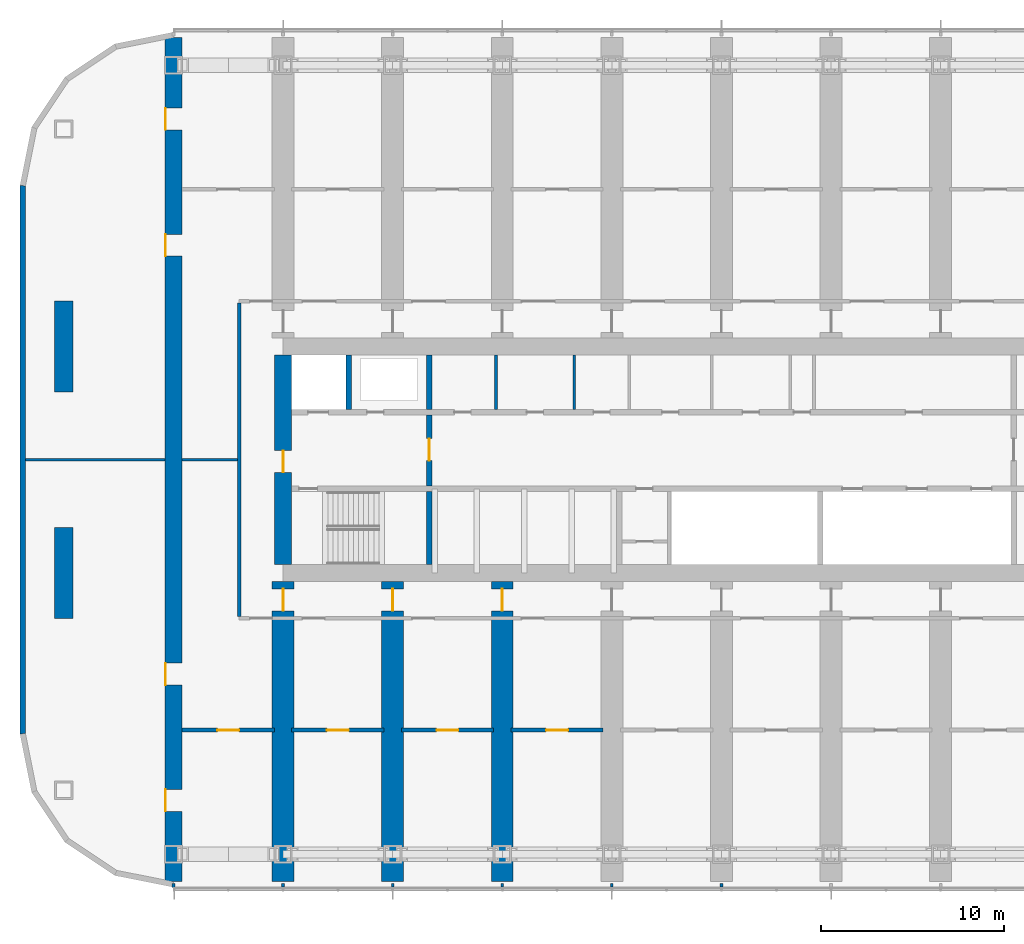
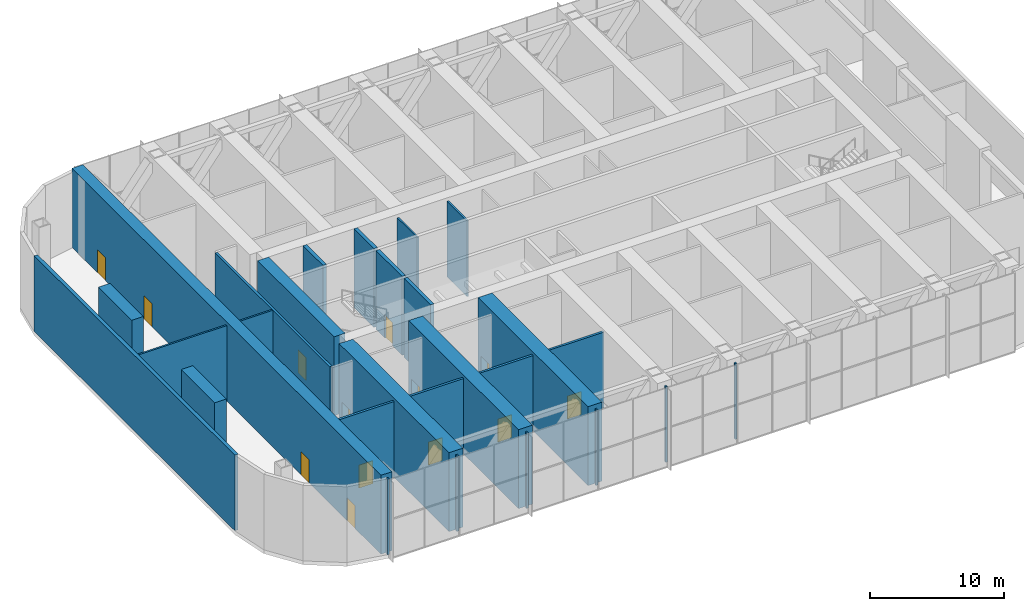
# One storey, part 8 of 22: 27 walls, 13 doors, 13 openings.
"""IFC4 building model written with IfcOpenShell, lengths in metres."""

import ifcopenshell
import ifcopenshell.guid

model = None  # the IFC model being written
_history = None  # IfcOwnerHistory: only IFC2X3 demands one
_inside = {}  # id of a spatial element -> (the spatial element, [elements in it])
_under = {}  # id of a project, library or spatial element -> (it, [spatial elements below it])
_declared = {}  # id of a project -> (the project, [libraries it declares])
_typed = {}  # id of a type object -> (the type object, [elements of that type])
_made_of = {}  # id of a material, layer set ... -> (it, [elements and type objects made of it])


def new_model(schema):
    """Start an empty IFC model of exactly this schema.

    Asked for "IFC4X3", IfcOpenShell would pick the latest addendum, in which some entities
    have other attributes; the version numbers below select the first issue.
    IFC2X3 requires an IfcOwnerHistory on every rooted entity: one is made here for all.
    """
    global model, _history
    if schema == "IFC4X3":
        model = ifcopenshell.file(schema_version=(4, 3, 0, 0))
    else:
        model = ifcopenshell.file(schema=schema)
    _inside.clear()
    _under.clear()
    _declared.clear()
    _typed.clear()
    _made_of.clear()
    _history = None
    if model.schema == "IFC2X3":
        org = make("IfcOrganization", Name="unknown")
        user = make(
            "IfcPersonAndOrganization",
            ThePerson=make("IfcPerson", FamilyName="unknown"),
            TheOrganization=org,
        )
        app = make(
            "IfcApplication",
            ApplicationDeveloper=org,
            Version="unknown",
            ApplicationFullName="unknown",
            ApplicationIdentifier="unknown",
        )
        _history = make(
            "IfcOwnerHistory",
            OwningUser=user,
            OwningApplication=app,
            ChangeAction="ADDED",
            CreationDate=0,
        )
    return model


def make(cls, **values):
    """One entity of the class cls with the attributes given. An attribute that is None is left unset."""
    return model.create_entity(
        cls, **{name: value for name, value in values.items() if value is not None}
    )


def rooted(cls, **values):
    """An entity with a GlobalId (a new one), such as an element, a storey or a relation."""
    return make(cls, GlobalId=ifcopenshell.guid.new(), OwnerHistory=_history, **values)


def si_unit(unit_type, name, prefix=None):
    """IfcSIUnit, for example si_unit("LENGTHUNIT", "METRE", prefix="MILLI")."""
    return make("IfcSIUnit", UnitType=unit_type, Prefix=prefix, Name=name)


def assignment(units):
    """IfcUnitAssignment: the units of a project."""
    return None if units is None else make("IfcUnitAssignment", Units=units)


def point(xyz):
    """IfcCartesianPoint."""
    return None if xyz is None else make("IfcCartesianPoint", Coordinates=xyz)


def direction(xyz):
    """IfcDirection."""
    return None if xyz is None else make("IfcDirection", DirectionRatios=xyz)


def frame(location, z_axis=None, x_axis=None):
    """IfcAxis2Placement3D, a coordinate frame: its origin and axes. An axis left out is left unset."""
    return make(
        "IfcAxis2Placement3D",
        Location=point(location),
        Axis=direction(z_axis),
        RefDirection=direction(x_axis),
    )


def frame_2d(location, x_axis=None):
    """IfcAxis2Placement2D, a coordinate frame in the plane: its origin and x axis."""
    return make(
        "IfcAxis2Placement2D", Location=point(location), RefDirection=direction(x_axis)
    )


def origin():
    """The frame at (0, 0, 0) with its axes left unset."""
    return frame((0.0, 0.0, 0.0))


def place(relative_to, where):
    """IfcLocalPlacement: puts the frame where relative to a parent placement (None: the world)."""
    return make(
        "IfcLocalPlacement", PlacementRelTo=relative_to, RelativePlacement=where
    )


def context(
    kind, dimensions, precision=None, world=None, true_north=None, identifier=None
):
    """IfcGeometricRepresentationContext, for example the 3D "Model" context."""
    return make(
        "IfcGeometricRepresentationContext",
        ContextIdentifier=identifier,
        ContextType=kind,
        CoordinateSpaceDimension=dimensions,
        Precision=precision,
        WorldCoordinateSystem=world,
        TrueNorth=true_north,
    )


def subcontext(parent, identifier, kind, view, scale=None):
    """IfcGeometricRepresentationSubContext, for example "Body" below "Model"."""
    return make(
        "IfcGeometricRepresentationSubContext",
        ContextIdentifier=identifier,
        ContextType=kind,
        ParentContext=parent,
        TargetScale=scale,
        TargetView=view,
    )


def project(units=None, contexts=None):
    """IfcProject with its units and contexts."""
    return rooted(
        "IfcProject",
        Name="project",
        RepresentationContexts=contexts,
        UnitsInContext=assignment(units),
    )


def spatial(cls, under=None, at=None, **own):
    """A site, building, storey or space (cls), placed at a placement, below another one or the project."""
    s = rooted(cls, ObjectPlacement=at, **own)
    if under is not None:
        _under.setdefault(under.id(), (under, []))[1].append(s)
    return s


def polyline(points):
    """IfcPolyline through the points."""
    return make("IfcPolyline", Points=[point(p) for p in points])


def profile(cls, at=None, kind="AREA", **sizes):
    """A parametric profile (cls). Its sizes go by their IFC names, for example OverallWidth=200.0."""
    return make(cls, ProfileType=kind, Position=at, **sizes)


def rectangle(**sizes):
    """IfcRectangleProfileDef."""
    return profile("IfcRectangleProfileDef", **sizes)


def outline(outer, holes=None, kind="AREA"):
    """IfcArbitraryClosedProfileDef: a profile drawn as a closed curve; with holes, ...WithVoids."""
    if holes is None:
        return make("IfcArbitraryClosedProfileDef", ProfileType=kind, OuterCurve=outer)
    return make(
        "IfcArbitraryProfileDefWithVoids",
        ProfileType=kind,
        OuterCurve=outer,
        InnerCurves=holes,
    )


def extrude(swept, where, along, depth):
    """IfcExtrudedAreaSolid: the profile swept, set in the frame where, extruded along a direction by depth."""
    return make(
        "IfcExtrudedAreaSolid",
        SweptArea=swept,
        Position=where,
        ExtrudedDirection=direction(along),
        Depth=depth,
    )


def shape(context_of_items, identifier, shape_type, items):
    """IfcShapeRepresentation: the items that make up one representation, for example the "Body"."""
    return make(
        "IfcShapeRepresentation",
        ContextOfItems=context_of_items,
        RepresentationIdentifier=identifier,
        RepresentationType=shape_type,
        Items=items,
    )


def material(Name=None, Category=None):
    """IfcMaterial."""
    return make("IfcMaterial", Name=Name, Category=Category)


def layer(
    of_material, thickness, ventilated=None, Name=None, Category=None, Priority=None
):
    """IfcMaterialLayer: one layer of a wall or slab, of a material (None: an air gap)."""
    return make(
        "IfcMaterialLayer",
        Material=of_material,
        LayerThickness=thickness,
        IsVentilated=ventilated,
        Name=Name,
        Category=Category,
        Priority=Priority,
    )


def layer_set(layers, Name=None):
    """IfcMaterialLayerSet."""
    return make("IfcMaterialLayerSet", MaterialLayers=layers, LayerSetName=Name)


def made_of(thing, what):
    """Note that an element or type object is made of a material, layer set ...; save() writes the relation."""
    if what is not None:
        _made_of.setdefault(what.id(), (what, []))[1].append(thing)
    return thing


def type_object(cls, material=None, **own):
    """A type object (cls), such as IfcWallType, which elements share."""
    return made_of(rooted(cls, **own), material)


def element(
    cls,
    number,
    at=None,
    inside=None,
    cuts=None,
    type_object=None,
    material=None,
    context=None,
    identifier="Body",
    shape_type=None,
    held_by="IfcProductDefinitionShape",
    body=None,
    shapes=None,
    **own,
):
    """One element of the class cls, such as IfcWall. Its Tag is "e" and its number.

    at: its placement. inside: the storey or other place that contains it. cuts: it is an
    opening in that element (IfcRelVoidsElement). A single representation is given by context,
    identifier, shape_type and body (its items); several are given by shapes. held_by: the class
    of the entity that holds the representations. save() writes the other relations.
    """
    e = rooted(cls, Tag="e%d" % number, ObjectPlacement=at, **own)
    if body is not None:
        shapes = [shape(context, identifier, shape_type, body)]
    if shapes is not None:
        e.Representation = make(held_by, Representations=shapes)
    if inside is not None:
        _inside.setdefault(inside.id(), (inside, []))[1].append(e)
    if cuts is not None:
        rooted(
            "IfcRelVoidsElement", RelatingBuildingElement=cuts, RelatedOpeningElement=e
        )
    if type_object is not None:
        _typed.setdefault(type_object.id(), (type_object, []))[1].append(e)
    return made_of(e, material)


def fill(opening, filler):
    """IfcRelFillsElement: the door or window that sits in an opening."""
    return rooted(
        "IfcRelFillsElement",
        RelatingOpeningElement=opening,
        RelatedBuildingElement=filler,
    )


def aggregate(whole, parts):
    """IfcRelAggregates: a whole, such as a stair, and the parts it consists of."""
    return rooted("IfcRelAggregates", RelatingObject=whole, RelatedObjects=parts)


def save(model, path):
    """Write the relations noted so far, then the file.

    IfcRelAggregates (storeys below a building ...), IfcRelContainedInSpatialStructure (elements
    in a storey), IfcRelDefinesByType, IfcRelAssociatesMaterial and IfcRelDeclares: one each for
    every whole, place, type object, material and project.
    """
    for whole, parts in _under.values():
        aggregate(whole, parts)
    for where, things in _inside.values():
        rooted(
            "IfcRelContainedInSpatialStructure",
            RelatedElements=things,
            RelatingStructure=where,
        )
    for kind, things in _typed.values():
        rooted("IfcRelDefinesByType", RelatedObjects=things, RelatingType=kind)
    for what, things in _made_of.values():
        rooted("IfcRelAssociatesMaterial", RelatedObjects=things, RelatingMaterial=what)
    for by, libraries in _declared.values():
        rooted("IfcRelDeclares", RelatingContext=by, RelatedDefinitions=libraries)
    model.write(path)


model = new_model("IFC4")

# Units and contexts
model_context = context("Model", 3, precision=1e-05, world=origin(), true_north=direction((0.0, 1.0)))
body_context = subcontext(model_context, "Body", "Model", "MODEL_VIEW")
ifc_project = project(units=[si_unit("LENGTHUNIT", "METRE"), si_unit("AREAUNIT", "SQUARE_METRE"), si_unit("VOLUMEUNIT", "CUBIC_METRE"), si_unit("PLANEANGLEUNIT", "RADIAN"), si_unit("MASSUNIT", "GRAM", prefix="KILO")], contexts=[model_context])

# Site, building, storey
site_placement = place(None, origin())
site = spatial("IfcSite", under=ifc_project, at=site_placement, CompositionType="ELEMENT")
building_placement = place(site_placement, origin())
building = spatial("IfcBuilding", under=site, at=building_placement, Name="Orbita Commons", CompositionType="ELEMENT")
storey_placement = place(building_placement, frame((0.0, 0.0, 133.14990234375)))
storey = spatial("IfcBuildingStorey", under=building, at=storey_placement, Name="L33", CompositionType="ELEMENT", Elevation=133.14990234375)

# Wall
ifc_material_1 = material(Name="Concrete C50/60", Category="concrete")
ifc_layer_1 = layer(ifc_material_1, 0.300048828125)
ifc_layer_set_1 = layer_set([ifc_layer_1], Name="Concrete C50/60")
wall_type_1 = type_object("IfcWallType", Name="Core inner wall 300 C50/60", PredefinedType="SHEAR", material=ifc_layer_set_1)
wall_1_placement = place(storey_placement, frame((26.0, 26.27490234375, 0.0), z_axis=(0.0, 0.0, 1.0), x_axis=(0.0, 1.0, 0.0)))
element("IfcWall", 1, at=wall_1_placement, inside=storey, type_object=wall_type_1, Name="Stair S1 wall L33", PredefinedType="SHEAR", context=body_context, shape_type="SweptSolid", body=[
    extrude(rectangle(XDim=3.97509765625, YDim=0.300048828125, at=frame_2d((1.987548828125, 0.0))), origin(), (0.0, 0.0, 1.0), 7.2001953125),
])

# Wall, opening, door
wall_2_placement = place(storey_placement, frame((26.0, 30.550048828125, 0.0), z_axis=(0.0, 0.0, 1.0), x_axis=(0.0, 1.0, 0.0)))
wall_2 = element("IfcWall", 2, at=wall_2_placement, inside=storey, type_object=wall_type_1, Name="Firefighting lobby wall west L33", PredefinedType="SHEAR", context=body_context, shape_type="SweptSolid", body=[
    extrude(rectangle(XDim=3.89990234375, YDim=0.300048828125, at=frame_2d((1.949951171875, 0.0))), origin(), (0.0, 0.0, 1.0), 7.2001953125),
])
opening_1_placement = place(wall_2_placement, frame((1.39990234375, 0.0, 0.0)))
opening_1 = element("IfcOpeningElement", 3, at=opening_1_placement, cuts=wall_2, Name="Opening D04", PredefinedType="OPENING", context=body_context, shape_type="SweptSolid", body=[
    extrude(rectangle(XDim=1.199951171875, YDim=2.10009765625, at=frame_2d((0.60009765625, 1.050048828125))), frame((0.0, 0.159912109375, 0.0), z_axis=(0.0, -1.0, 0.0), x_axis=(1.0, 0.0, 0.0)), (0.0, 0.0, 1.0), 0.320068359375),
])
ifc_material_2 = material(Name="Steel-faced fire door leaf", Category="steel")
door_type_1 = type_object("IfcDoorType", Name="Service door 20 min 1200x2100", OperationType="SINGLE_SWING_LEFT", PredefinedType="DOOR", material=ifc_material_2)
door_1_placement = place(opening_1_placement, origin())
door_1 = element("IfcDoor", 4, at=door_1_placement, inside=storey, type_object=door_type_1, Name="Lift lobby door west", OperationType="SINGLE_SWING_LEFT", OverallHeight=2.10009765625, OverallWidth=1.199951171875, PredefinedType="DOOR", context=body_context, shape_type="SweptSolid", body=[
    extrude(rectangle(XDim=1.199951171875, YDim=2.10009765625, at=frame_2d((0.60009765625, 1.050048828125))), frame((0.0, 0.02490234375, 0.0), z_axis=(0.0, -1.0, 0.0), x_axis=(1.0, 0.0, 0.0)), (0.0, 0.0, 1.0), 0.050048828125),
])
fill(opening_1, door_1)

# Walls
for number, where, z_axis, x_axis, name in (
    (5, (21.60009765625, 34.75, 0.0), (0.0, 0.0, 1.0), (0.0, 1.0, 0.0), "Firefighting lift FL1 shaft wall L33"),
    (6, (26.0, 34.75, 0.0), (0.0, 0.0, 1.0), (0.0, 1.0, 0.0), "Riser wall west L33"),
):
    element("IfcWall", number, at=place(storey_placement, frame(where, z_axis=z_axis, x_axis=x_axis)), inside=storey, type_object=wall_type_1, Name=name, PredefinedType="SHEAR", context=body_context, shape_type="SweptSolid", body=[
        extrude(rectangle(XDim=2.97509765625, YDim=0.300048828125, at=frame_2d((1.487548828125, 0.0))), origin(), (0.0, 0.0, 1.0), 7.2001953125),
    ])
ifc_material_3 = material(Name="Concrete blockwork", Category="masonry")
ifc_layer_2 = layer(ifc_material_3, 0.14990234375)
ifc_layer_set_2 = layer_set([ifc_layer_2], Name="Concrete blockwork")
wall_type_2 = type_object("IfcWallType", Name="Core partition 150 blockwork", PredefinedType="SOLIDWALL", material=ifc_layer_set_2)
for number, where, z_axis, x_axis, name in (
    (7, (29.65087890625, 34.75, 0.0), (0.0, 0.0, 1.0), (0.0, 1.0, 0.0), "Core partition 150 blockwork L33"),
    (8, (33.9462890625, 34.75, 0.0), (0.0, 0.0, 1.0), (0.0, 1.0, 0.0), "Core partition 150 blockwork L33"),
):
    element("IfcWall", number, at=place(storey_placement, frame(where, z_axis=z_axis, x_axis=x_axis)), inside=storey, type_object=wall_type_2, Name=name, PredefinedType="SOLIDWALL", context=body_context, shape_type="SweptSolid", body=[
        extrude(rectangle(XDim=2.97509765625, YDim=0.14990234375, at=frame_2d((1.487548828125, 0.0))), origin(), (0.0, 0.0, 1.0), 6.900146484375),
    ])

# Wall, opening, door
ifc_material_4 = material(Name="Concrete C50/60", Category="concrete")
ifc_layer_3 = layer(ifc_material_4, 0.949951171875)
ifc_layer_set_3 = layer_set([ifc_layer_3], Name="Concrete C50/60")
wall_type_3 = type_object("IfcWallType", Name="Core wall 950 C50/60", PredefinedType="SHEAR", material=ifc_layer_set_3)
wall_3_placement = place(storey_placement, frame((18.0, 26.27490234375, 0.0), z_axis=(0.0, 0.0, 1.0), x_axis=(0.0, 1.0, 0.0)))
wall_3 = element("IfcWall", 9, at=wall_3_placement, inside=storey, type_object=wall_type_3, Name="Core end wall west L33", PredefinedType="SHEAR", context=body_context, shape_type="SweptSolid", body=[
    extrude(rectangle(XDim=11.4501953125, YDim=0.949951171875, at=frame_2d((5.72509765625, 0.0))), origin(), (0.0, 0.0, 1.0), 7.2001953125),
])
opening_2_placement = place(wall_3_placement, frame((5.02490234375, 0.0, 0.0)))
opening_2 = element("IfcOpeningElement", 10, at=opening_2_placement, cuts=wall_3, Name="Opening D01", PredefinedType="OPENING", context=body_context, shape_type="SweptSolid", body=[
    extrude(rectangle(XDim=1.199951171875, YDim=2.10009765625, at=frame_2d((0.60009765625, 1.050048828125))), frame((0.0, 0.48486328125, 0.0), z_axis=(0.0, -1.0, 0.0), x_axis=(1.0, 0.0, 0.0)), (0.0, 0.0, 1.0), 0.969970703125),
])
ifc_material_5 = material(Name="Steel-faced fire door leaf", Category="steel")
door_type_2 = type_object("IfcDoorType", Name="Fire door 90 min 1200x2100", OperationType="SINGLE_SWING_LEFT", PredefinedType="DOOR", material=ifc_material_5)
door_2_placement = place(opening_2_placement, origin())
door_2 = element("IfcDoor", 11, at=door_2_placement, inside=storey, type_object=door_type_2, Name="Firefighting lobby west door", OperationType="SINGLE_SWING_LEFT", OverallHeight=2.10009765625, OverallWidth=1.199951171875, PredefinedType="DOOR", context=body_context, shape_type="SweptSolid", body=[
    extrude(rectangle(XDim=1.199951171875, YDim=2.10009765625, at=frame_2d((0.60009765625, 1.050048828125))), frame((0.0, 0.02490234375, 0.0), z_axis=(0.0, -1.0, 0.0), x_axis=(1.0, 0.0, 0.0)), (0.0, 0.0, 1.0), 0.050048828125),
])
fill(opening_2, door_2)

# Wall
ifc_material_6 = material(Name="Concrete blockwork", Category="masonry")
ifc_layer_4 = layer(ifc_material_6, 0.199951171875)
ifc_layer_set_4 = layer_set([ifc_layer_4], Name="Concrete blockwork")
wall_type_4 = type_object("IfcWallType", Name="Corridor wall 200 blockwork", PredefinedType="SOLIDWALL", material=ifc_layer_set_4)
wall_4_placement = place(storey_placement, frame((15.60009765625, 23.425048828125, 0.0), z_axis=(0.0, 0.0, 1.0), x_axis=(0.0, 1.0, 0.0)))
element("IfcWall", 12, at=wall_4_placement, inside=storey, type_object=wall_type_4, Name="Corridor wall 200 blockwork L33", PredefinedType="SOLIDWALL", context=body_context, shape_type="SweptSolid", body=[
    extrude(rectangle(XDim=17.14990234375, YDim=0.199951171875, at=frame_2d((8.574951171875, 0.0))), origin(), (0.0, 0.0, 1.0), 6.900146484375),
])

# Wall, opening, door
ifc_material_7 = material(Name="Hollow concrete block 200", Category="concrete")
ifc_layer_5 = layer(ifc_material_7, 0.199951171875)
ifc_layer_set_5 = layer_set([ifc_layer_5], Name="Hollow concrete block 200")
wall_type_5 = type_object("IfcWallType", Name="Corridor wall 200 hollow concrete block", PredefinedType="SOLIDWALL", material=ifc_layer_set_5)
wall_5_placement = place(storey_placement, frame((12.47509765625, 17.199951171875, 0.0), z_axis=(0.0, 0.0, 1.0), x_axis=(1.0, 0.0, 0.0)))
wall_5 = element("IfcWall", 13, at=wall_5_placement, inside=storey, type_object=wall_type_5, Name="Corridor wall 200 hollow concrete block L33", PredefinedType="SOLIDWALL", context=body_context, shape_type="SweptSolid", body=[
    extrude(rectangle(XDim=5.0498046875, YDim=0.199951171875, at=frame_2d((2.52490234375, 0.0))), origin(), (0.0, 0.0, 1.0), 6.900146484375),
])
opening_3_placement = place(wall_5_placement, frame((1.925048828125, 0.0, 0.0)))
opening_3 = element("IfcOpeningElement", 14, at=opening_3_placement, cuts=wall_5, Name="Opening D01", PredefinedType="OPENING", context=body_context, shape_type="SweptSolid", body=[
    extrude(rectangle(XDim=1.199951171875, YDim=2.10009765625, at=frame_2d((0.60009765625, 1.050048828125))), frame((0.0, 0.10986328125, 0.0), z_axis=(0.0, -1.0, 0.0), x_axis=(1.0, 0.0, 0.0)), (0.0, 0.0, 1.0), 0.219970703125),
])
door_3_placement = place(opening_3_placement, origin())
door_3 = element("IfcDoor", 15, at=door_3_placement, inside=storey, type_object=door_type_2, Name="Refuge area door L33", OperationType="SINGLE_SWING_LEFT", OverallHeight=2.10009765625, OverallWidth=1.199951171875, PredefinedType="DOOR", context=body_context, shape_type="SweptSolid", body=[
    extrude(rectangle(XDim=1.199951171875, YDim=2.10009765625, at=frame_2d((0.60009765625, 1.050048828125))), frame((0.0, 0.02490234375, 0.0), z_axis=(0.0, -1.0, 0.0), x_axis=(1.0, 0.0, 0.0)), (0.0, 0.0, 1.0), 0.050048828125),
])
fill(opening_3, door_3)

wall_6_placement = place(storey_placement, frame((18.47509765625, 17.199951171875, 0.0), z_axis=(0.0, 0.0, 1.0), x_axis=(1.0, 0.0, 0.0)))
wall_6 = element("IfcWall", 16, at=wall_6_placement, inside=storey, type_object=wall_type_5, Name="Corridor wall 200 hollow concrete block L33", PredefinedType="SOLIDWALL", context=body_context, shape_type="SweptSolid", body=[
    extrude(rectangle(XDim=5.0498046875, YDim=0.199951171875, at=frame_2d((2.52490234375, 0.0))), origin(), (0.0, 0.0, 1.0), 6.900146484375),
])
opening_4_placement = place(wall_6_placement, frame((1.925048828125, 0.0, 0.0)))
opening_4 = element("IfcOpeningElement", 17, at=opening_4_placement, cuts=wall_6, Name="Opening D01", PredefinedType="OPENING", context=body_context, shape_type="SweptSolid", body=[
    extrude(rectangle(XDim=1.199951171875, YDim=2.10009765625, at=frame_2d((0.60009765625, 1.050048828125))), frame((0.0, 0.10986328125, 0.0), z_axis=(0.0, -1.0, 0.0), x_axis=(1.0, 0.0, 0.0)), (0.0, 0.0, 1.0), 0.219970703125),
])
door_4_placement = place(opening_4_placement, origin())
door_4 = element("IfcDoor", 18, at=door_4_placement, inside=storey, type_object=door_type_2, Name="Refuge area door L33", OperationType="SINGLE_SWING_LEFT", OverallHeight=2.10009765625, OverallWidth=1.199951171875, PredefinedType="DOOR", context=body_context, shape_type="SweptSolid", body=[
    extrude(rectangle(XDim=1.199951171875, YDim=2.10009765625, at=frame_2d((0.60009765625, 1.050048828125))), frame((0.0, 0.02490234375, 0.0), z_axis=(0.0, -1.0, 0.0), x_axis=(1.0, 0.0, 0.0)), (0.0, 0.0, 1.0), 0.050048828125),
])
fill(opening_4, door_4)

wall_7_placement = place(storey_placement, frame((24.47509765625, 17.199951171875, 0.0), z_axis=(0.0, 0.0, 1.0), x_axis=(1.0, 0.0, 0.0)))
wall_7 = element("IfcWall", 19, at=wall_7_placement, inside=storey, type_object=wall_type_5, Name="Corridor wall 200 hollow concrete block L33", PredefinedType="SOLIDWALL", context=body_context, shape_type="SweptSolid", body=[
    extrude(rectangle(XDim=5.0498046875, YDim=0.199951171875, at=frame_2d((2.52490234375, 0.0))), origin(), (0.0, 0.0, 1.0), 6.900146484375),
])
opening_5_placement = place(wall_7_placement, frame((1.925048828125, 0.0, 0.0)))
opening_5 = element("IfcOpeningElement", 20, at=opening_5_placement, cuts=wall_7, Name="Opening D01", PredefinedType="OPENING", context=body_context, shape_type="SweptSolid", body=[
    extrude(rectangle(XDim=1.199951171875, YDim=2.10009765625, at=frame_2d((0.60009765625, 1.050048828125))), frame((0.0, 0.10986328125, 0.0), z_axis=(0.0, -1.0, 0.0), x_axis=(1.0, 0.0, 0.0)), (0.0, 0.0, 1.0), 0.219970703125),
])
door_5_placement = place(opening_5_placement, origin())
door_5 = element("IfcDoor", 21, at=door_5_placement, inside=storey, type_object=door_type_2, Name="Refuge area door L33", OperationType="SINGLE_SWING_LEFT", OverallHeight=2.10009765625, OverallWidth=1.199951171875, PredefinedType="DOOR", context=body_context, shape_type="SweptSolid", body=[
    extrude(rectangle(XDim=1.199951171875, YDim=2.10009765625, at=frame_2d((0.60009765625, 1.050048828125))), frame((0.0, 0.02490234375, 0.0), z_axis=(0.0, -1.0, 0.0), x_axis=(1.0, 0.0, 0.0)), (0.0, 0.0, 1.0), 0.050048828125),
])
fill(opening_5, door_5)

wall_8_placement = place(storey_placement, frame((30.47509765625, 17.199951171875, 0.0), z_axis=(0.0, 0.0, 1.0), x_axis=(1.0, 0.0, 0.0)))
wall_8 = element("IfcWall", 22, at=wall_8_placement, inside=storey, type_object=wall_type_5, Name="Corridor wall 200 hollow concrete block L33", PredefinedType="SOLIDWALL", context=body_context, shape_type="SweptSolid", body=[
    extrude(rectangle(XDim=5.0498046875, YDim=0.199951171875, at=frame_2d((2.52490234375, 0.0))), origin(), (0.0, 0.0, 1.0), 6.900146484375),
])
opening_6_placement = place(wall_8_placement, frame((1.925048828125, 0.0, 0.0)))
opening_6 = element("IfcOpeningElement", 23, at=opening_6_placement, cuts=wall_8, Name="Opening D01", PredefinedType="OPENING", context=body_context, shape_type="SweptSolid", body=[
    extrude(rectangle(XDim=1.199951171875, YDim=2.10009765625, at=frame_2d((0.60009765625, 1.050048828125))), frame((0.0, 0.10986328125, 0.0), z_axis=(0.0, -1.0, 0.0), x_axis=(1.0, 0.0, 0.0)), (0.0, 0.0, 1.0), 0.219970703125),
])
door_6_placement = place(opening_6_placement, origin())
door_6 = element("IfcDoor", 24, at=door_6_placement, inside=storey, type_object=door_type_2, Name="Refuge area door L33", OperationType="SINGLE_SWING_LEFT", OverallHeight=2.10009765625, OverallWidth=1.199951171875, PredefinedType="DOOR", context=body_context, shape_type="SweptSolid", body=[
    extrude(rectangle(XDim=1.199951171875, YDim=2.10009765625, at=frame_2d((0.60009765625, 1.050048828125))), frame((0.0, 0.02490234375, 0.0), z_axis=(0.0, -1.0, 0.0), x_axis=(1.0, 0.0, 0.0)), (0.0, 0.0, 1.0), 0.050048828125),
])
fill(opening_6, door_6)

# Wall, openings, doors
ifc_material_8 = material(Name="Concrete C50/60", Category="concrete")
ifc_layer_6 = layer(ifc_material_8, 0.949951171875)
ifc_layer_set_6 = layer_set([ifc_layer_6], Name="Concrete C50/60")
wall_type_6 = type_object("IfcWallType", Name="Cross wall 950 C50/60", PredefinedType="SHEAR", material=ifc_layer_set_6)
wall_9_placement = place(storey_placement, frame((12.0, 8.89990234375, 0.0), z_axis=(0.0, 0.0, 1.0), x_axis=(0.0, 1.0, 0.0)))
wall_9 = element("IfcWall", 25, at=wall_9_placement, inside=storey, type_object=wall_type_6, Name="Cross wall 3 L33", PredefinedType="SHEAR", context=body_context, shape_type="SweptSolid", body=[
    extrude(rectangle(XDim=46.2001953125, YDim=0.949951171875, at=frame_2d((23.10009765625, 0.0))), origin(), (0.0, 0.0, 1.0), 7.2001953125),
])
opening_7_placement = place(wall_9_placement, frame((3.85009765625, 0.0, 0.0)))
opening_7 = element("IfcOpeningElement", 26, at=opening_7_placement, cuts=wall_9, Name="Opening D01", PredefinedType="OPENING", context=body_context, shape_type="SweptSolid", body=[
    extrude(rectangle(XDim=1.199951171875, YDim=2.10009765625, at=frame_2d((0.60009765625, 1.050048828125))), frame((0.0, 0.48486328125, 0.0), z_axis=(0.0, -1.0, 0.0), x_axis=(1.0, 0.0, 0.0)), (0.0, 0.0, 1.0), 0.969970703125),
])
opening_8_placement = place(wall_9_placement, frame((10.762451171875, 0.0, 0.0)))
opening_8 = element("IfcOpeningElement", 27, at=opening_8_placement, cuts=wall_9, Name="Opening D01", PredefinedType="OPENING", context=body_context, shape_type="SweptSolid", body=[
    extrude(rectangle(XDim=1.199951171875, YDim=2.10009765625, at=frame_2d((0.60009765625, 1.050048828125))), frame((0.0, 0.48486328125, 0.0), z_axis=(0.0, -1.0, 0.0), x_axis=(1.0, 0.0, 0.0)), (0.0, 0.0, 1.0), 0.969970703125),
])
opening_9_placement = place(wall_9_placement, frame((41.14990234375, 0.0, 0.0)))
opening_9 = element("IfcOpeningElement", 28, at=opening_9_placement, cuts=wall_9, Name="Opening D01", PredefinedType="OPENING", context=body_context, shape_type="SweptSolid", body=[
    extrude(rectangle(XDim=1.199951171875, YDim=2.10009765625, at=frame_2d((0.60009765625, 1.050048828125))), frame((0.0, 0.48486328125, 0.0), z_axis=(0.0, -1.0, 0.0), x_axis=(1.0, 0.0, 0.0)), (0.0, 0.0, 1.0), 0.969970703125),
])
opening_10_placement = place(wall_9_placement, frame((34.237548828125, 0.0, 0.0)))
opening_10 = element("IfcOpeningElement", 29, at=opening_10_placement, cuts=wall_9, Name="Opening D01", PredefinedType="OPENING", context=body_context, shape_type="SweptSolid", body=[
    extrude(rectangle(XDim=1.199951171875, YDim=2.10009765625, at=frame_2d((0.60009765625, 1.050048828125))), frame((0.0, 0.48486328125, 0.0), z_axis=(0.0, -1.0, 0.0), x_axis=(1.0, 0.0, 0.0)), (0.0, 0.0, 1.0), 0.969970703125),
])
door_7_placement = place(opening_7_placement, origin())
door_7 = element("IfcDoor", 30, at=door_7_placement, inside=storey, type_object=door_type_2, Name="Refuge area connecting door L33", OperationType="SINGLE_SWING_LEFT", OverallHeight=2.10009765625, OverallWidth=1.199951171875, PredefinedType="DOOR", context=body_context, shape_type="SweptSolid", body=[
    extrude(rectangle(XDim=1.199951171875, YDim=2.10009765625, at=frame_2d((0.60009765625, 1.050048828125))), frame((0.0, 0.4599609375, 0.0), z_axis=(0.0, -1.0, 0.0), x_axis=(1.0, 0.0, 0.0)), (0.0, 0.0, 1.0), 0.050048828125),
])
fill(opening_7, door_7)
door_8_placement = place(opening_8_placement, origin())
door_8 = element("IfcDoor", 31, at=door_8_placement, inside=storey, type_object=door_type_2, Name="Refuge area connecting door L33", OperationType="SINGLE_SWING_LEFT", OverallHeight=2.10009765625, OverallWidth=1.199951171875, PredefinedType="DOOR", context=body_context, shape_type="SweptSolid", body=[
    extrude(rectangle(XDim=1.199951171875, YDim=2.10009765625, at=frame_2d((0.60009765625, 1.050048828125))), frame((0.0, 0.4599609375, 0.0), z_axis=(0.0, -1.0, 0.0), x_axis=(1.0, 0.0, 0.0)), (0.0, 0.0, 1.0), 0.050048828125),
])
fill(opening_8, door_8)
door_9_placement = place(opening_9_placement, origin())
door_9 = element("IfcDoor", 32, at=door_9_placement, inside=storey, type_object=door_type_2, Name="Plant room connecting door L33", OperationType="SINGLE_SWING_LEFT", OverallHeight=2.10009765625, OverallWidth=1.199951171875, PredefinedType="DOOR", context=body_context, shape_type="SweptSolid", body=[
    extrude(rectangle(XDim=1.199951171875, YDim=2.10009765625, at=frame_2d((0.60009765625, 1.050048828125))), frame((0.0, 0.4599609375, 0.0), z_axis=(0.0, -1.0, 0.0), x_axis=(1.0, 0.0, 0.0)), (0.0, 0.0, 1.0), 0.050048828125),
])
fill(opening_9, door_9)
door_10_placement = place(opening_10_placement, origin())
door_10 = element("IfcDoor", 33, at=door_10_placement, inside=storey, type_object=door_type_2, Name="Plant room connecting door L33", OperationType="SINGLE_SWING_LEFT", OverallHeight=2.10009765625, OverallWidth=1.199951171875, PredefinedType="DOOR", context=body_context, shape_type="SweptSolid", body=[
    extrude(rectangle(XDim=1.199951171875, YDim=2.10009765625, at=frame_2d((0.60009765625, 1.050048828125))), frame((0.0, 0.4599609375, 0.0), z_axis=(0.0, -1.0, 0.0), x_axis=(1.0, 0.0, 0.0)), (0.0, 0.0, 1.0), 0.050048828125),
])
fill(opening_10, door_10)

# Walls
ifc_material_9 = material(Name="Concrete C50/60", Category="concrete")
ifc_layer_7 = layer(ifc_material_9, 1.0)
ifc_layer_set_7 = layer_set([ifc_layer_7], Name="Concrete C50/60")
wall_type_7 = type_object("IfcWallType", Name="End pier 1000x5000 C50/60", PredefinedType="SHEAR", material=ifc_layer_set_7)
for number, where, z_axis, x_axis, name in (
    (34, (6.0, 23.300048828125, 0.0), (0.0, 0.0, 1.0), (0.0, 1.0, 0.0), "End pier 2/C L33"),
    (35, (6.0, 35.699951171875, 0.0), (0.0, 0.0, 1.0), (0.0, 1.0, 0.0), "End pier 2/D L33"),
):
    element("IfcWall", number, at=place(storey_placement, frame(where, z_axis=z_axis, x_axis=x_axis)), inside=storey, type_object=wall_type_7, Name=name, PredefinedType="SHEAR", context=body_context, shape_type="SweptSolid", body=[
        extrude(rectangle(XDim=5.0, YDim=1.0, at=frame_2d((2.5, 0.0))), origin(), (0.0, 0.0, 1.0), 7.2001953125),
    ])

# Wall, opening, door
ifc_material_10 = material(Name="Concrete C50/60", Category="concrete")
ifc_layer_8 = layer(ifc_material_10, 1.199951171875)
ifc_layer_set_8 = layer_set([ifc_layer_8], Name="Concrete C50/60")
wall_type_8 = type_object("IfcWallType", Name="Outrigger wall 1200 C50/60", PredefinedType="SHEAR", material=ifc_layer_set_8)
wall_10_placement = place(storey_placement, frame((18.0, 8.89990234375, 0.0), z_axis=(0.0, 0.0, 1.0), x_axis=(0.0, 1.0, 0.0)))
wall_10 = element("IfcWall", 36, at=wall_10_placement, inside=storey, type_object=wall_type_8, Name="Outrigger wall 4 south L33", PredefinedType="SHEAR", context=body_context, shape_type="SweptSolid", body=[
    extrude(rectangle(XDim=16.425048828125, YDim=1.199951171875, at=frame_2d((8.21240234375, 0.0))), origin(), (0.0, 0.0, 1.0), 7.2001953125),
])
opening_11_placement = place(wall_10_placement, frame((14.824951171875, 0.0, 0.0)))
opening_11 = element("IfcOpeningElement", 37, at=opening_11_placement, cuts=wall_10, Name="Opening D01", PredefinedType="OPENING", context=body_context, shape_type="SweptSolid", body=[
    extrude(rectangle(XDim=1.199951171875, YDim=2.10009765625, at=frame_2d((0.60009765625, 1.050048828125))), frame((0.0, 0.60986328125, 0.0), z_axis=(0.0, -1.0, 0.0), x_axis=(1.0, 0.0, 0.0)), (0.0, 0.0, 1.0), 1.219970703125),
])
door_11_placement = place(opening_11_placement, origin())
door_11 = element("IfcDoor", 38, at=door_11_placement, inside=storey, type_object=door_type_2, Name="Corridor door through cross wall S L33", OperationType="SINGLE_SWING_LEFT", OverallHeight=2.10009765625, OverallWidth=1.199951171875, PredefinedType="DOOR", context=body_context, shape_type="SweptSolid", body=[
    extrude(rectangle(XDim=1.199951171875, YDim=2.10009765625, at=frame_2d((0.60009765625, 1.050048828125))), frame((0.0, 0.02490234375, 0.0), z_axis=(0.0, -1.0, 0.0), x_axis=(1.0, 0.0, 0.0)), (0.0, 0.0, 1.0), 0.050048828125),
])
fill(opening_11, door_11)

wall_11_placement = place(storey_placement, frame((24.0, 8.89990234375, 0.0), z_axis=(0.0, 0.0, 1.0), x_axis=(0.0, 1.0, 0.0)))
wall_11 = element("IfcWall", 39, at=wall_11_placement, inside=storey, type_object=wall_type_8, Name="Outrigger wall 5 south L33", PredefinedType="SHEAR", context=body_context, shape_type="SweptSolid", body=[
    extrude(rectangle(XDim=16.425048828125, YDim=1.199951171875, at=frame_2d((8.21240234375, 0.0))), origin(), (0.0, 0.0, 1.0), 7.2001953125),
])
opening_12_placement = place(wall_11_placement, frame((14.824951171875, 0.0, 0.0)))
opening_12 = element("IfcOpeningElement", 40, at=opening_12_placement, cuts=wall_11, Name="Opening D01", PredefinedType="OPENING", context=body_context, shape_type="SweptSolid", body=[
    extrude(rectangle(XDim=1.199951171875, YDim=2.10009765625, at=frame_2d((0.60009765625, 1.050048828125))), frame((0.0, 0.60986328125, 0.0), z_axis=(0.0, -1.0, 0.0), x_axis=(1.0, 0.0, 0.0)), (0.0, 0.0, 1.0), 1.219970703125),
])
door_12_placement = place(opening_12_placement, origin())
door_12 = element("IfcDoor", 41, at=door_12_placement, inside=storey, type_object=door_type_2, Name="Corridor door through cross wall S L33", OperationType="SINGLE_SWING_LEFT", OverallHeight=2.10009765625, OverallWidth=1.199951171875, PredefinedType="DOOR", context=body_context, shape_type="SweptSolid", body=[
    extrude(rectangle(XDim=1.199951171875, YDim=2.10009765625, at=frame_2d((0.60009765625, 1.050048828125))), frame((0.0, 0.02490234375, 0.0), z_axis=(0.0, -1.0, 0.0), x_axis=(1.0, 0.0, 0.0)), (0.0, 0.0, 1.0), 0.050048828125),
])
fill(opening_12, door_12)

wall_12_placement = place(storey_placement, frame((30.0, 8.89990234375, 0.0), z_axis=(0.0, 0.0, 1.0), x_axis=(0.0, 1.0, 0.0)))
wall_12 = element("IfcWall", 42, at=wall_12_placement, inside=storey, type_object=wall_type_8, Name="Outrigger wall 6 south L33", PredefinedType="SHEAR", context=body_context, shape_type="SweptSolid", body=[
    extrude(rectangle(XDim=16.425048828125, YDim=1.199951171875, at=frame_2d((8.21240234375, 0.0))), origin(), (0.0, 0.0, 1.0), 7.2001953125),
])
opening_13_placement = place(wall_12_placement, frame((14.824951171875, 0.0, 0.0)))
opening_13 = element("IfcOpeningElement", 43, at=opening_13_placement, cuts=wall_12, Name="Opening D01", PredefinedType="OPENING", context=body_context, shape_type="SweptSolid", body=[
    extrude(rectangle(XDim=1.199951171875, YDim=2.10009765625, at=frame_2d((0.60009765625, 1.050048828125))), frame((0.0, 0.60986328125, 0.0), z_axis=(0.0, -1.0, 0.0), x_axis=(1.0, 0.0, 0.0)), (0.0, 0.0, 1.0), 1.219970703125),
])
door_13_placement = place(opening_13_placement, origin())
door_13 = element("IfcDoor", 44, at=door_13_placement, inside=storey, type_object=door_type_2, Name="Corridor door through cross wall S L33", OperationType="SINGLE_SWING_LEFT", OverallHeight=2.10009765625, OverallWidth=1.199951171875, PredefinedType="DOOR", context=body_context, shape_type="SweptSolid", body=[
    extrude(rectangle(XDim=1.199951171875, YDim=2.10009765625, at=frame_2d((0.60009765625, 1.050048828125))), frame((0.0, 0.02490234375, 0.0), z_axis=(0.0, -1.0, 0.0), x_axis=(1.0, 0.0, 0.0)), (0.0, 0.0, 1.0), 0.050048828125),
])
fill(opening_13, door_13)

# Walls
ifc_material_11 = material(Name="Gypsum plasterboard on steel studs", Category="steel")
ifc_layer_9 = layer(ifc_material_11, 0.14990234375)
ifc_layer_set_9 = layer_set([ifc_layer_9], Name="Gypsum plasterboard on steel studs")
wall_type_9 = type_object("IfcWallType", Name="Partition 150 plasterboard", PredefinedType="PARTITIONING", material=ifc_layer_set_9)
wall_13_placement = place(storey_placement, frame((3.905029296875, 32.0, 0.0), z_axis=(0.0, 0.0, 1.0), x_axis=(1.0, 0.0, 0.0)))
element("IfcWall", 45, at=wall_13_placement, inside=storey, type_object=wall_type_9, Name="Partition 150 plasterboard L33", PredefinedType="PARTITIONING", context=body_context, shape_type="SweptSolid", body=[
    extrude(rectangle(XDim=7.619873046875, YDim=0.14990234375, at=frame_2d((3.81005859375, 0.0))), origin(), (0.0, 0.0, 1.0), 6.900146484375),
])
wall_14_placement = place(storey_placement, frame((12.47509765625, 32.0, 0.0), z_axis=(0.0, 0.0, 1.0), x_axis=(1.0, 0.0, 0.0)))
element("IfcWall", 46, at=wall_14_placement, inside=storey, type_object=wall_type_9, Name="Partition 150 plasterboard L33", PredefinedType="PARTITIONING", context=body_context, shape_type="SweptSolid", body=[
    extrude(rectangle(XDim=3.02490234375, YDim=0.14990234375, at=frame_2d((1.512451171875, 0.0))), origin(), (0.0, 0.0, 1.0), 6.900146484375),
])
wall_15_placement = place(storey_placement, frame((12.0, 8.800048828125, 0.0), z_axis=(0.0, 0.0, 1.0), x_axis=(0.0, -1.0, 0.0)))
element("IfcWall", 47, at=wall_15_placement, inside=storey, type_object=wall_type_9, Name="Partition 150 plasterboard L33", PredefinedType="PARTITIONING", context=body_context, shape_type="SweptSolid", body=[
    extrude(rectangle(XDim=0.219970703125, YDim=0.14990234375, at=frame_2d((0.10986328125, 0.0))), origin(), (0.0, 0.0, 1.0), 6.900146484375),
])
for number, where, z_axis, x_axis, name in (
    (48, (18.0, 8.800048828125, 0.0), (0.0, 0.0, 1.0), (0.0, -1.0, 0.0), "Partition 150 plasterboard L33"),
    (49, (24.0, 8.800048828125, 0.0), (0.0, 0.0, 1.0), (0.0, -1.0, 0.0), "Partition 150 plasterboard L33"),
    (50, (30.0, 8.800048828125, 0.0), (0.0, 0.0, 1.0), (0.0, -1.0, 0.0), "Partition 150 plasterboard L33"),
    (51, (36.0, 8.800048828125, 0.0), (0.0, 0.0, 1.0), (0.0, -1.0, 0.0), "Partition 150 plasterboard L33"),
    (52, (42.0, 8.800048828125, 0.0), (0.0, 0.0, 1.0), (0.0, -1.0, 0.0), "Partition 150 plasterboard L33"),
):
    element("IfcWall", number, at=place(storey_placement, frame(where, z_axis=z_axis, x_axis=x_axis)), inside=storey, type_object=wall_type_9, Name=name, PredefinedType="PARTITIONING", context=body_context, shape_type="SweptSolid", body=[
        extrude(rectangle(XDim=0.18994140625, YDim=0.14990234375, at=frame_2d((0.094970703125, 0.0))), origin(), (0.0, 0.0, 1.0), 6.900146484375),
    ])
ifc_material_12 = material(Name="Precast concrete C40/50, white board-marked finish", Category="concrete")
ifc_layer_10 = layer(ifc_material_12, 0.300048828125)
ifc_layer_set_10 = layer_set([ifc_layer_10], Name="Precast concrete C40/50, white board-marked finish")
wall_type_10 = type_object("IfcWallType", Name="Precast concrete end shield 300", PredefinedType="SOLIDWALL", material=ifc_layer_set_10)
wall_16_placement = place(storey_placement, frame((3.75, 47.0, 0.0), z_axis=(0.0, 0.0, 1.0), x_axis=(0.0, -1.0, 0.0)))
element("IfcWall", 53, at=wall_16_placement, inside=storey, type_object=wall_type_10, Name="End shield W L33", PredefinedType="SOLIDWALL", context=body_context, shape_type="SweptSolid", body=[
    extrude(outline(polyline([(-0.014892578125, -0.14990234375), (30.014892578125, -0.14990234375), (29.985107421875, 0.14990234375), (0.014892578125, 0.14990234375), (-0.014892578125, -0.14990234375)])), origin(), (0.0, 0.0, 1.0), 6.900146484375),
])

save(model, "model.ifc")
